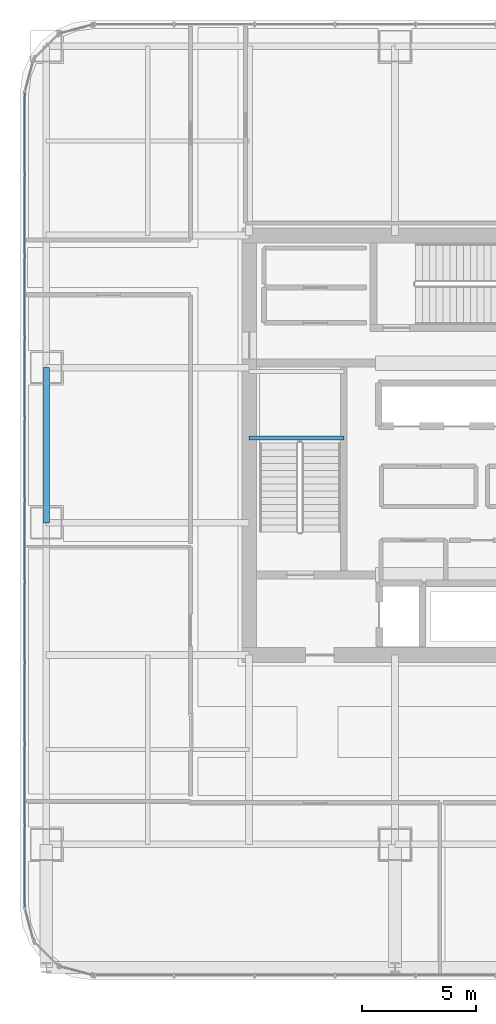
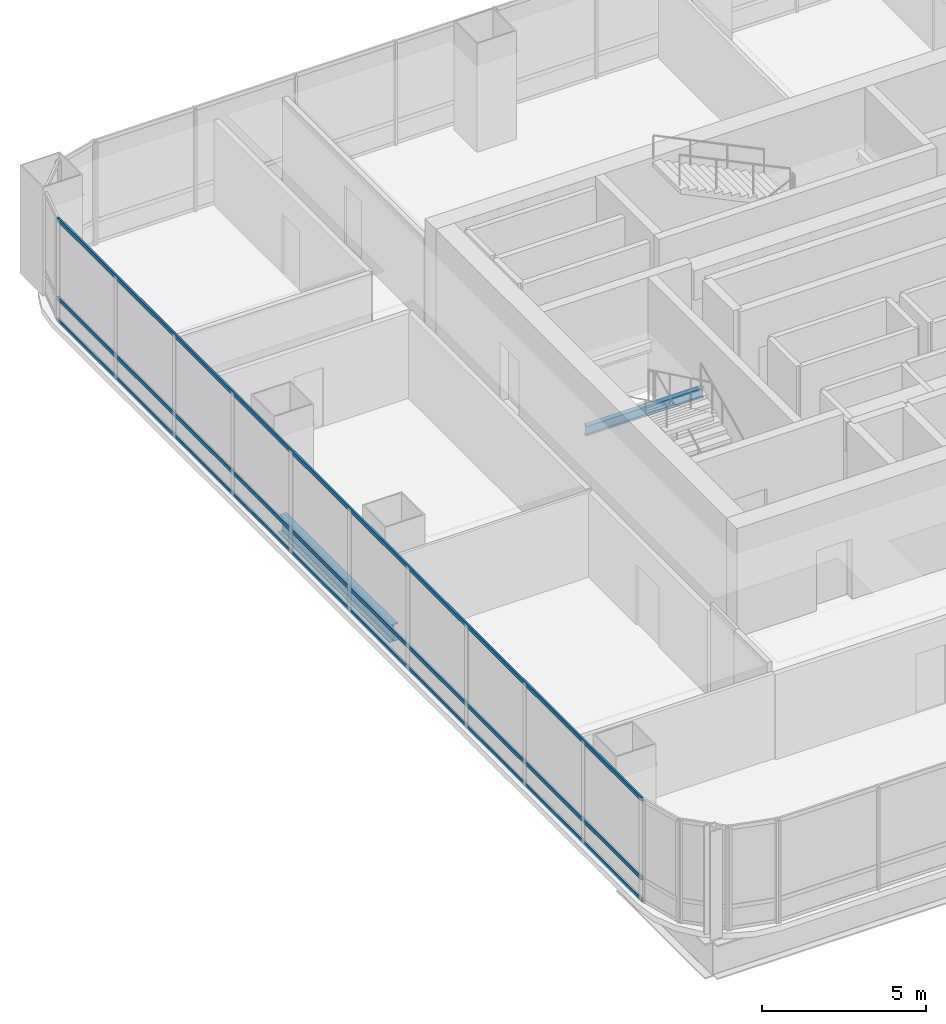
# One storey, part 10 of 36: 3 members, 2 beams, 1 element without a shape of its own.
"""IFC4 building model written with IfcOpenShell, lengths in metres."""

from ifc_helpers import new_model, si_unit, direction, frame, origin, origin_2d, place, context, subcontext, project, spatial, hollow_rectangle, i_section, extrude, material, material_profile, profile_set, type_object, element, aggregate, save


model = new_model("IFC4")

# Units and contexts
model_context = context("Model", 3, precision=1e-05, world=origin(), true_north=direction((0.0, 1.0)))
body_context = subcontext(model_context, "Body", "Model", "MODEL_VIEW")
ifc_project = project(units=[si_unit("LENGTHUNIT", "METRE"), si_unit("AREAUNIT", "SQUARE_METRE"), si_unit("VOLUMEUNIT", "CUBIC_METRE"), si_unit("PLANEANGLEUNIT", "RADIAN"), si_unit("MASSUNIT", "GRAM", prefix="KILO")], contexts=[model_context])

# Site, building, storey
site_placement = place(None, origin())
site = spatial("IfcSite", under=ifc_project, at=site_placement, CompositionType="ELEMENT")
building_placement = place(site_placement, origin())
building = spatial("IfcBuilding", under=site, at=building_placement, Name="Punatoya Terracotta Tower", CompositionType="ELEMENT")
storey_placement = place(building_placement, frame((0.0, 0.0, 208.64990234375)))
storey = spatial("IfcBuildingStorey", under=building, at=storey_placement, Name="L49", CompositionType="ELEMENT", Elevation=208.64990234375)

# Beams
ifc_material_1 = material(Name="Steel S355", Category="steel")
ifc_material_profile_1 = material_profile(ifc_material_1, i_section(OverallWidth=0.300048828125, OverallDepth=0.64990234375, WebThickness=0.01611328125, FlangeThickness=0.031005859375, FilletRadius=0.01806640625, at=origin_2d()))
ifc_profile_set_1 = profile_set([ifc_material_profile_1], Name="Steel S355")
beam_type_1 = type_object("IfcBeamType", Name="BM-PRI-650", PredefinedType="BEAM", material=ifc_profile_set_1)
beam_1_placement = place(storey_placement, frame((-19.10009765625, -3.39990234375, -0.544921875), z_axis=(0.0, 1.0, 0.0), x_axis=(-1.0, 0.0, 0.0)))
element("IfcBeam", 1, at=beam_1_placement, inside=storey, type_object=beam_type_1, Name="BM-L49-RG-W2", PredefinedType="BEAM", context=body_context, shape_type="SweptSolid", body=[
    extrude(i_section(OverallWidth=0.300048828125, OverallDepth=0.64990234375, WebThickness=0.01611328125, FlangeThickness=0.031005859375, FilletRadius=0.01806640625, at=origin_2d()), origin(), (0.0, 0.0, 1.0), 6.7998046875),
])
ifc_material_profile_2 = material_profile(ifc_material_1, i_section(OverallWidth=0.169921875, OverallDepth=0.360107421875, WebThickness=0.008056640625, FlangeThickness=0.0126953125, FilletRadius=0.01806640625, at=origin_2d()))
ifc_profile_set_2 = profile_set([ifc_material_profile_2], Name="Steel S355")
beam_type_2 = type_object("IfcBeamType", Name="BM-SEC-360", PredefinedType="JOIST", material=ifc_profile_set_2)
beam_2_placement = place(storey_placement, frame((-10.199951171875, 0.320068359375, 1.64501953125), z_axis=(1.0, 0.0, 0.0), x_axis=(0.0, 1.0, 0.0)))
element("IfcBeam", 2, at=beam_2_placement, inside=storey, type_object=beam_type_2, Name="BM-L49-ST-1-LD1A", PredefinedType="JOIST", context=body_context, shape_type="SweptSolid", body=[
    extrude(i_section(OverallWidth=0.169921875, OverallDepth=0.360107421875, WebThickness=0.008056640625, FlangeThickness=0.0126953125, FilletRadius=0.01806640625, at=origin_2d()), origin(), (0.0, 0.0, 1.0), 4.14990234375),
])

# Curtain wall, members
ifc_material_2 = material(Name="Aluminium 6063-T6 + Double Low-E Glass", Category="aluminium")
curtain_wall_type = type_object("IfcCurtainWallType", Name="CW-M2", PredefinedType="NOTDEFINED", material=ifc_material_2)
curtain_wall_placement = place(storey_placement, origin())
curtain_wall = element("IfcCurtainWall", 3, at=curtain_wall_placement, inside=storey, type_object=curtain_wall_type, Name="L49 Curtain Wall CW-L49-W13-1", PredefinedType="NOTDEFINED")
ifc_material_3 = material(Name="Aluminium 6063-T6", Category="aluminium")
ifc_material_profile_3 = material_profile(ifc_material_3, hollow_rectangle(XDim=0.068115234375, YDim=0.14990234375, WallThickness=0.00390625, at=origin_2d()))
ifc_profile_set_3 = profile_set([ifc_material_profile_3], Name="Aluminium 6063-T6")
member_type = type_object("IfcMemberType", Name="CW-TRN-TYP", PredefinedType="USERDEFINED", material=ifc_profile_set_3)
member_1_placement = place(storey_placement, frame((-20.050048828125, 15.43701171875, 0.0400390625), z_axis=(0.0, -1.0, 0.0), x_axis=(1.0, 0.0, 0.0)))
member_1 = element("IfcMember", 4, at=member_1_placement, type_object=member_type, Name="CW-L49-W13-1 Transom 1", ObjectType="TRANSOM", PredefinedType="USERDEFINED", context=body_context, shape_type="SweptSolid", body=[
    extrude(hollow_rectangle(XDim=0.068115234375, YDim=0.14990234375, WallThickness=0.00390625, at=origin_2d()), origin(), (0.0, 0.0, 1.0), 35.673828125),
])
member_2_placement = place(storey_placement, frame((-20.050048828125, 15.43701171875, 0.85009765625), z_axis=(0.0, -1.0, 0.0), x_axis=(1.0, 0.0, 0.0)))
member_2 = element("IfcMember", 5, at=member_2_placement, type_object=member_type, Name="CW-L49-W13-1 Transom 2", ObjectType="TRANSOM", PredefinedType="USERDEFINED", context=body_context, shape_type="SweptSolid", body=[
    extrude(hollow_rectangle(XDim=0.068115234375, YDim=0.14990234375, WallThickness=0.00390625, at=origin_2d()), origin(), (0.0, 0.0, 1.0), 35.673828125),
])
member_3_placement = place(storey_placement, frame((-20.050048828125, 15.43701171875, 3.7900390625), z_axis=(0.0, -1.0, 0.0), x_axis=(1.0, 0.0, 0.0)))
member_3 = element("IfcMember", 6, at=member_3_placement, type_object=member_type, Name="CW-L49-W13-1 Transom 3", ObjectType="TRANSOM", PredefinedType="USERDEFINED", context=body_context, shape_type="SweptSolid", body=[
    extrude(hollow_rectangle(XDim=0.068115234375, YDim=0.14990234375, WallThickness=0.00390625, at=origin_2d()), origin(), (0.0, 0.0, 1.0), 35.673828125),
])
aggregate(curtain_wall, [member_1, member_2, member_3])

save(model, "model.ifc")
